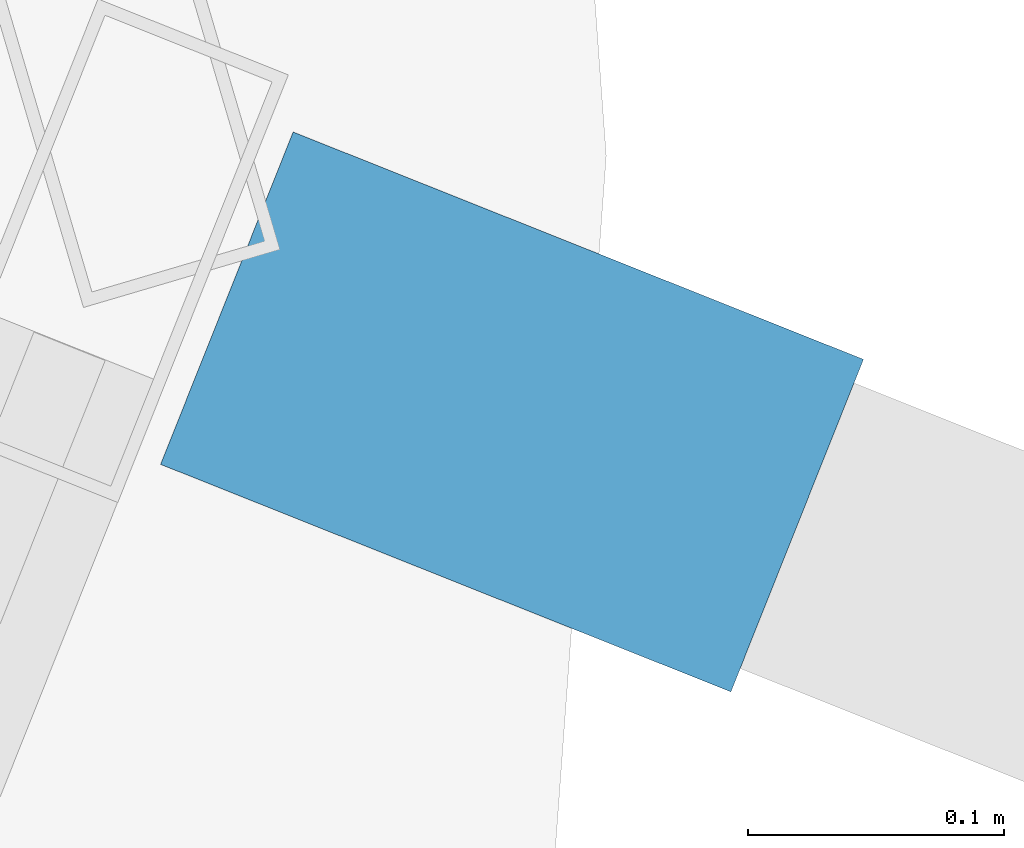
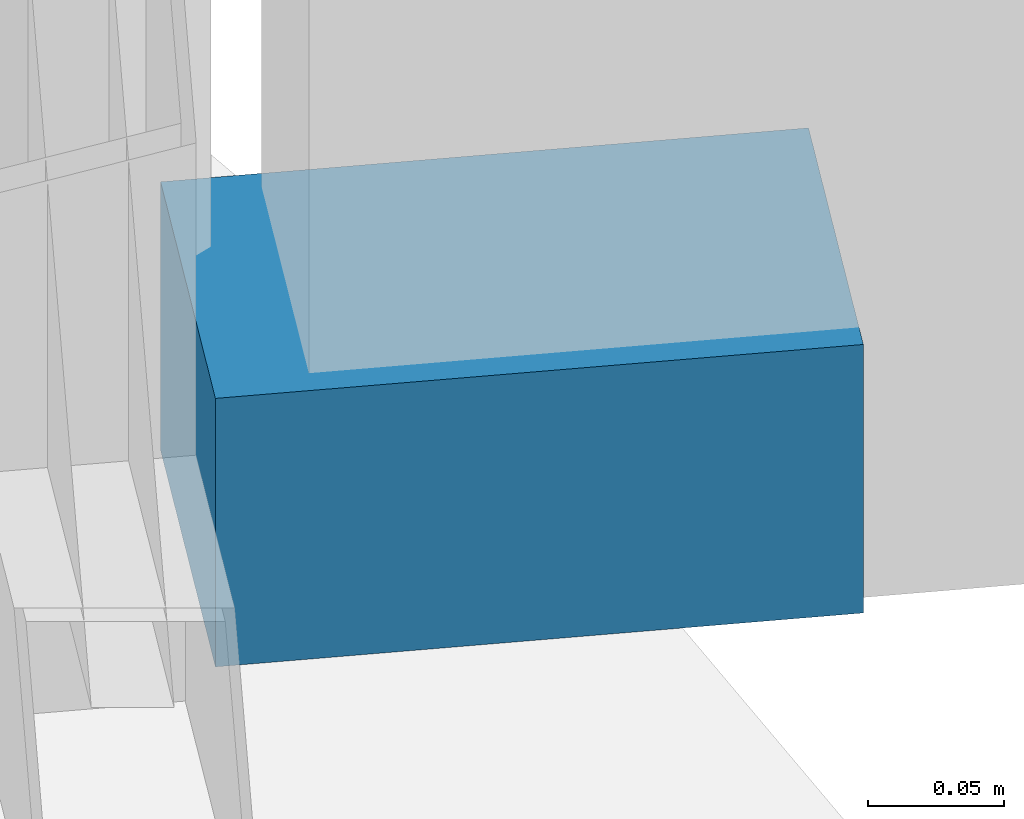
# One storey, part 28 of 32: 1 discrete accessory.
"""IFC4 building model written with IfcOpenShell, lengths in metres."""

import ifcopenshell
import ifcopenshell.guid

model = None  # the IFC model being written
_history = None  # IfcOwnerHistory: only IFC2X3 demands one
_inside = {}  # id of a spatial element -> (the spatial element, [elements in it])
_under = {}  # id of a project, library or spatial element -> (it, [spatial elements below it])
_declared = {}  # id of a project -> (the project, [libraries it declares])
_typed = {}  # id of a type object -> (the type object, [elements of that type])
_made_of = {}  # id of a material, layer set ... -> (it, [elements and type objects made of it])


def new_model(schema):
    """Start an empty IFC model of exactly this schema.

    Asked for "IFC4X3", IfcOpenShell would pick the latest addendum, in which some entities
    have other attributes; the version numbers below select the first issue.
    IFC2X3 requires an IfcOwnerHistory on every rooted entity: one is made here for all.
    """
    global model, _history
    if schema == "IFC4X3":
        model = ifcopenshell.file(schema_version=(4, 3, 0, 0))
    else:
        model = ifcopenshell.file(schema=schema)
    _inside.clear()
    _under.clear()
    _declared.clear()
    _typed.clear()
    _made_of.clear()
    _history = None
    if model.schema == "IFC2X3":
        org = make("IfcOrganization", Name="unknown")
        user = make(
            "IfcPersonAndOrganization",
            ThePerson=make("IfcPerson", FamilyName="unknown"),
            TheOrganization=org,
        )
        app = make(
            "IfcApplication",
            ApplicationDeveloper=org,
            Version="unknown",
            ApplicationFullName="unknown",
            ApplicationIdentifier="unknown",
        )
        _history = make(
            "IfcOwnerHistory",
            OwningUser=user,
            OwningApplication=app,
            ChangeAction="ADDED",
            CreationDate=0,
        )
    return model


def make(cls, **values):
    """One entity of the class cls with the attributes given. An attribute that is None is left unset."""
    return model.create_entity(
        cls, **{name: value for name, value in values.items() if value is not None}
    )


def rooted(cls, **values):
    """An entity with a GlobalId (a new one), such as an element, a storey or a relation."""
    return make(cls, GlobalId=ifcopenshell.guid.new(), OwnerHistory=_history, **values)


def si_unit(unit_type, name, prefix=None):
    """IfcSIUnit, for example si_unit("LENGTHUNIT", "METRE", prefix="MILLI")."""
    return make("IfcSIUnit", UnitType=unit_type, Prefix=prefix, Name=name)


def assignment(units):
    """IfcUnitAssignment: the units of a project."""
    return None if units is None else make("IfcUnitAssignment", Units=units)


def point(xyz):
    """IfcCartesianPoint."""
    return None if xyz is None else make("IfcCartesianPoint", Coordinates=xyz)


def direction(xyz):
    """IfcDirection."""
    return None if xyz is None else make("IfcDirection", DirectionRatios=xyz)


def frame(location, z_axis=None, x_axis=None):
    """IfcAxis2Placement3D, a coordinate frame: its origin and axes. An axis left out is left unset."""
    return make(
        "IfcAxis2Placement3D",
        Location=point(location),
        Axis=direction(z_axis),
        RefDirection=direction(x_axis),
    )


def frame_2d(location, x_axis=None):
    """IfcAxis2Placement2D, a coordinate frame in the plane: its origin and x axis."""
    return make(
        "IfcAxis2Placement2D", Location=point(location), RefDirection=direction(x_axis)
    )


def origin():
    """The frame at (0, 0, 0) with its axes left unset."""
    return frame((0.0, 0.0, 0.0))


def origin_2d():
    """The frame at (0, 0) in the plane with its x axis left unset."""
    return frame_2d((0.0, 0.0))


def place(relative_to, where):
    """IfcLocalPlacement: puts the frame where relative to a parent placement (None: the world)."""
    return make(
        "IfcLocalPlacement", PlacementRelTo=relative_to, RelativePlacement=where
    )


def context(
    kind, dimensions, precision=None, world=None, true_north=None, identifier=None
):
    """IfcGeometricRepresentationContext, for example the 3D "Model" context."""
    return make(
        "IfcGeometricRepresentationContext",
        ContextIdentifier=identifier,
        ContextType=kind,
        CoordinateSpaceDimension=dimensions,
        Precision=precision,
        WorldCoordinateSystem=world,
        TrueNorth=true_north,
    )


def subcontext(parent, identifier, kind, view, scale=None):
    """IfcGeometricRepresentationSubContext, for example "Body" below "Model"."""
    return make(
        "IfcGeometricRepresentationSubContext",
        ContextIdentifier=identifier,
        ContextType=kind,
        ParentContext=parent,
        TargetScale=scale,
        TargetView=view,
    )


def project(units=None, contexts=None):
    """IfcProject with its units and contexts."""
    return rooted(
        "IfcProject",
        Name="project",
        RepresentationContexts=contexts,
        UnitsInContext=assignment(units),
    )


def spatial(cls, under=None, at=None, **own):
    """A site, building, storey or space (cls), placed at a placement, below another one or the project."""
    s = rooted(cls, ObjectPlacement=at, **own)
    if under is not None:
        _under.setdefault(under.id(), (under, []))[1].append(s)
    return s


def profile(cls, at=None, kind="AREA", **sizes):
    """A parametric profile (cls). Its sizes go by their IFC names, for example OverallWidth=200.0."""
    return make(cls, ProfileType=kind, Position=at, **sizes)


def rectangle(**sizes):
    """IfcRectangleProfileDef."""
    return profile("IfcRectangleProfileDef", **sizes)


def extrude(swept, where, along, depth):
    """IfcExtrudedAreaSolid: the profile swept, set in the frame where, extruded along a direction by depth."""
    return make(
        "IfcExtrudedAreaSolid",
        SweptArea=swept,
        Position=where,
        ExtrudedDirection=direction(along),
        Depth=depth,
    )


def shape(context_of_items, identifier, shape_type, items):
    """IfcShapeRepresentation: the items that make up one representation, for example the "Body"."""
    return make(
        "IfcShapeRepresentation",
        ContextOfItems=context_of_items,
        RepresentationIdentifier=identifier,
        RepresentationType=shape_type,
        Items=items,
    )


def material(Name=None, Category=None):
    """IfcMaterial."""
    return make("IfcMaterial", Name=Name, Category=Category)


def made_of(thing, what):
    """Note that an element or type object is made of a material, layer set ...; save() writes the relation."""
    if what is not None:
        _made_of.setdefault(what.id(), (what, []))[1].append(thing)
    return thing


def type_object(cls, material=None, **own):
    """A type object (cls), such as IfcWallType, which elements share."""
    return made_of(rooted(cls, **own), material)


def element(
    cls,
    number,
    at=None,
    inside=None,
    cuts=None,
    type_object=None,
    material=None,
    context=None,
    identifier="Body",
    shape_type=None,
    held_by="IfcProductDefinitionShape",
    body=None,
    shapes=None,
    **own,
):
    """One element of the class cls, such as IfcWall. Its Tag is "e" and its number.

    at: its placement. inside: the storey or other place that contains it. cuts: it is an
    opening in that element (IfcRelVoidsElement). A single representation is given by context,
    identifier, shape_type and body (its items); several are given by shapes. held_by: the class
    of the entity that holds the representations. save() writes the other relations.
    """
    e = rooted(cls, Tag="e%d" % number, ObjectPlacement=at, **own)
    if body is not None:
        shapes = [shape(context, identifier, shape_type, body)]
    if shapes is not None:
        e.Representation = make(held_by, Representations=shapes)
    if inside is not None:
        _inside.setdefault(inside.id(), (inside, []))[1].append(e)
    if cuts is not None:
        rooted(
            "IfcRelVoidsElement", RelatingBuildingElement=cuts, RelatedOpeningElement=e
        )
    if type_object is not None:
        _typed.setdefault(type_object.id(), (type_object, []))[1].append(e)
    return made_of(e, material)


def aggregate(whole, parts):
    """IfcRelAggregates: a whole, such as a stair, and the parts it consists of."""
    return rooted("IfcRelAggregates", RelatingObject=whole, RelatedObjects=parts)


def save(model, path):
    """Write the relations noted so far, then the file.

    IfcRelAggregates (storeys below a building ...), IfcRelContainedInSpatialStructure (elements
    in a storey), IfcRelDefinesByType, IfcRelAssociatesMaterial and IfcRelDeclares: one each for
    every whole, place, type object, material and project.
    """
    for whole, parts in _under.values():
        aggregate(whole, parts)
    for where, things in _inside.values():
        rooted(
            "IfcRelContainedInSpatialStructure",
            RelatedElements=things,
            RelatingStructure=where,
        )
    for kind, things in _typed.values():
        rooted("IfcRelDefinesByType", RelatedObjects=things, RelatingType=kind)
    for what, things in _made_of.values():
        rooted("IfcRelAssociatesMaterial", RelatedObjects=things, RelatingMaterial=what)
    for by, libraries in _declared.values():
        rooted("IfcRelDeclares", RelatingContext=by, RelatedDefinitions=libraries)
    model.write(path)


model = new_model("IFC4")

# Units and contexts
model_context = context("Model", 3, precision=1e-05, world=origin(), true_north=direction((0.0, 1.0)))
body_context = subcontext(model_context, "Body", "Model", "MODEL_VIEW")
ifc_project = project(units=[si_unit("LENGTHUNIT", "METRE"), si_unit("AREAUNIT", "SQUARE_METRE"), si_unit("VOLUMEUNIT", "CUBIC_METRE"), si_unit("PLANEANGLEUNIT", "RADIAN"), si_unit("MASSUNIT", "GRAM", prefix="KILO")], contexts=[model_context])

# Site, building, storey
site_placement = place(None, origin())
site = spatial("IfcSite", under=ifc_project, at=site_placement, CompositionType="ELEMENT")
building_placement = place(site_placement, origin())
building = spatial("IfcBuilding", under=site, at=building_placement, Name="Kazevale Care Tower and Concert Hall", CompositionType="ELEMENT")
storey_placement = place(building_placement, frame((0.0, 0.0, 24.0)))
storey = spatial("IfcBuildingStorey", under=building, at=storey_placement, Name="L05", CompositionType="ELEMENT", Elevation=24.0)

# Discrete accessory
ifc_material = material(Name="Stainless Steel 316", Category="steel")
discrete_accessory_type = type_object("IfcDiscreteAccessoryType", Name="Facade Fin Stainless Anchor Bracket BRK-1", PredefinedType="BRACKET", material=ifc_material)
discrete_accessory_placement = place(storey_placement, frame((80.76318359375, 37.89990234375, 0.0), z_axis=(0.0, 0.0, 1.0), x_axis=(0.928874213199, -0.370395324019, 0.0)))
element("IfcDiscreteAccessory", 1, at=discrete_accessory_placement, inside=storey, type_object=discrete_accessory_type, Name="cw:L05:f01:brk", PredefinedType="BRACKET", context=body_context, shape_type="SweptSolid", body=[
    extrude(rectangle(XDim=0.239990234375, YDim=0.139892578125, at=origin_2d()), origin(), (0.0, 0.0, 1.0), 0.1201171875),
])

save(model, "model.ifc")
